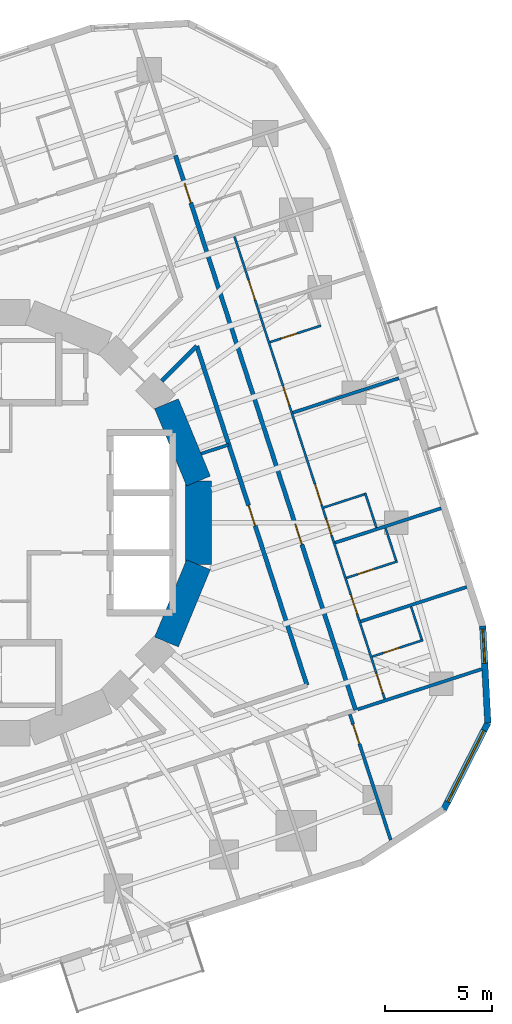
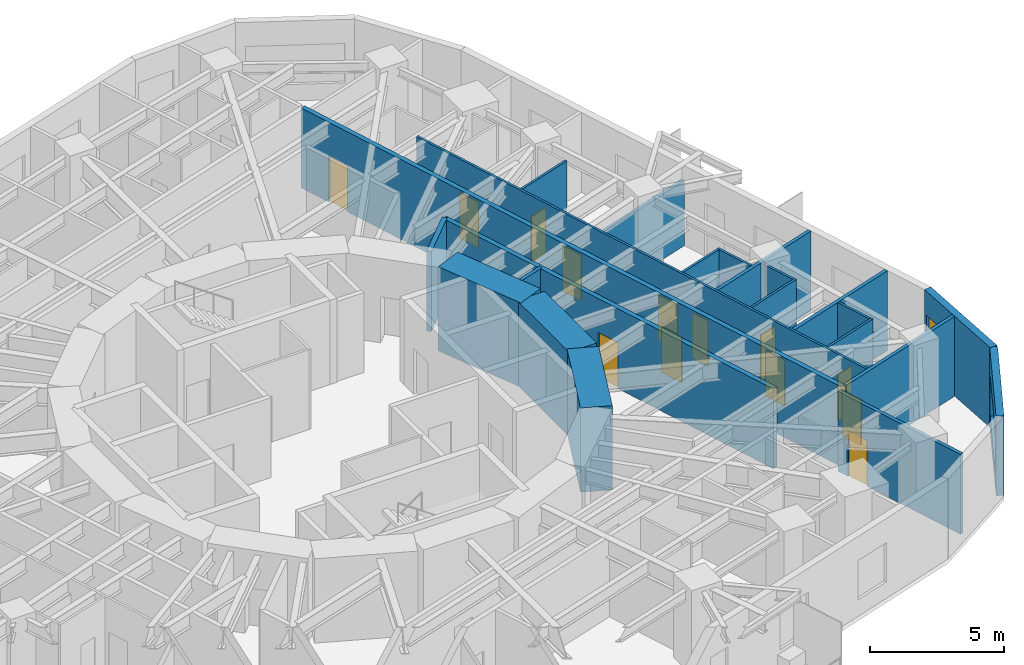
# One storey, part 8 of 12: 22 walls, 13 doors, 2 windows, 15 openings.
"""IFC4 building model written with IfcOpenShell, lengths in metres."""

from ifc_helpers import new_model, si_unit, direction, frame, frame_2d, origin, place, context, subcontext, project, spatial, rectangle, extrude, material, layer, layer_set, type_object, element, fill, save


model = new_model("IFC4")

# Units and contexts
model_context = context("Model", 3, precision=1e-05, world=origin(), true_north=direction((0.0, 1.0)))
body_context = subcontext(model_context, "Body", "Model", "MODEL_VIEW")
ifc_project = project(units=[si_unit("LENGTHUNIT", "METRE"), si_unit("AREAUNIT", "SQUARE_METRE"), si_unit("VOLUMEUNIT", "CUBIC_METRE"), si_unit("PLANEANGLEUNIT", "RADIAN"), si_unit("MASSUNIT", "GRAM", prefix="KILO")], contexts=[model_context])

# Site, building, storey
site_placement = place(None, origin())
site = spatial("IfcSite", under=ifc_project, at=site_placement, CompositionType="ELEMENT")
building_placement = place(site_placement, origin())
building = spatial("IfcBuilding", under=site, at=building_placement, Name="Nakasero Lantern House", CompositionType="ELEMENT")
storey_placement = place(building_placement, frame((0.0, 0.0, 168.75)))
storey = spatial("IfcBuildingStorey", under=building, at=storey_placement, Name="L41", CompositionType="ELEMENT", Elevation=168.75)

# Wall, openings, doors
ifc_material_1 = material(Name="Blockwork", Category="masonry")
ifc_layer_1 = layer(ifc_material_1, 0.10009765625)
ifc_layer_set_1 = layer_set([ifc_layer_1], Name="Cluster hall wall 100")
wall_type_1 = type_object("IfcWallType", Name="Cluster hall wall 100", PredefinedType="PARTITIONING", material=ifc_layer_set_1)
wall_1_placement = place(storey_placement, frame((18.492919921875, -8.21240234375, 0.0), z_axis=(0.0, 0.0, 1.0), x_axis=(-0.309014729931, 0.951057252055, 0.0)))
wall_1 = element("IfcWall", 1, at=wall_1_placement, inside=storey, type_object=wall_type_1, Name="Cluster hall wall L41 HW0-0", PredefinedType="PARTITIONING", context=body_context, shape_type="SweptSolid", body=[
    extrude(rectangle(XDim=22.67236328125, YDim=0.10009765625, at=frame_2d((11.336181640625, 0.0))), origin(), (0.0, 0.0, 1.0), 3.64990234375),
])
opening_1_placement = place(wall_1_placement, frame((9.532958984375, 0.0, 0.0)))
opening_1 = element("IfcOpeningElement", 2, at=opening_1_placement, cuts=wall_1, Name="Opening D03", PredefinedType="OPENING", context=body_context, shape_type="SweptSolid", body=[
    extrude(rectangle(XDim=1.0, YDim=2.10009765625, at=frame_2d((0.5, 1.050048828125))), frame((0.0, 0.070068359375, 0.0), z_axis=(0.0, -1.0, 0.0), x_axis=(1.0, 0.0, 0.0)), (0.0, 0.0, 1.0), 0.14013671875),
])
opening_2_placement = place(wall_1_placement, frame((8.01904296875, 0.0, 0.0)))
opening_2 = element("IfcOpeningElement", 3, at=opening_2_placement, cuts=wall_1, Name="Opening D02", PredefinedType="OPENING", context=body_context, shape_type="SweptSolid", body=[
    extrude(rectangle(XDim=0.800048828125, YDim=2.10009765625, at=frame_2d((0.39990234375, 1.050048828125))), frame((0.0, 0.070068359375, 0.0), z_axis=(0.0, -1.0, 0.0), x_axis=(1.0, 0.0, 0.0)), (0.0, 0.0, 1.0), 0.14013671875),
])
opening_3_placement = place(wall_1_placement, frame((0.300048828125, 0.0, 0.0)))
opening_3 = element("IfcOpeningElement", 4, at=opening_3_placement, cuts=wall_1, Name="Opening D01", PredefinedType="OPENING", context=body_context, shape_type="SweptSolid", body=[
    extrude(rectangle(XDim=0.949951171875, YDim=2.10009765625, at=frame_2d((0.47509765625, 1.050048828125))), frame((0.0, 0.070068359375, 0.0), z_axis=(0.0, -1.0, 0.0), x_axis=(1.0, 0.0, 0.0)), (0.0, 0.0, 1.0), 0.14013671875),
])
opening_4_placement = place(wall_1_placement, frame((4.159423828125, 0.0, 0.0)))
opening_4 = element("IfcOpeningElement", 5, at=opening_4_placement, cuts=wall_1, Name="Opening D01", PredefinedType="OPENING", context=body_context, shape_type="SweptSolid", body=[
    extrude(rectangle(XDim=0.949951171875, YDim=2.10009765625, at=frame_2d((0.47509765625, 1.050048828125))), frame((0.0, 0.070068359375, 0.0), z_axis=(0.0, -1.0, 0.0), x_axis=(1.0, 0.0, 0.0)), (0.0, 0.0, 1.0), 0.14013671875),
])
opening_5_placement = place(wall_1_placement, frame((14.39697265625, 0.0, 0.0)))
opening_5 = element("IfcOpeningElement", 6, at=opening_5_placement, cuts=wall_1, Name="Opening D01", PredefinedType="OPENING", context=body_context, shape_type="SweptSolid", body=[
    extrude(rectangle(XDim=0.949951171875, YDim=2.10009765625, at=frame_2d((0.47509765625, 1.050048828125))), frame((0.0, 0.070068359375, 0.0), z_axis=(0.0, -1.0, 0.0), x_axis=(1.0, 0.0, 0.0)), (0.0, 0.0, 1.0), 0.14013671875),
])
opening_6_placement = place(wall_1_placement, frame((19.578125, 0.0, 0.0)))
opening_6 = element("IfcOpeningElement", 7, at=opening_6_placement, cuts=wall_1, Name="Opening D01", PredefinedType="OPENING", context=body_context, shape_type="SweptSolid", body=[
    extrude(rectangle(XDim=0.949951171875, YDim=2.10009765625, at=frame_2d((0.47509765625, 1.050048828125))), frame((0.0, 0.070068359375, 0.0), z_axis=(0.0, -1.0, 0.0), x_axis=(1.0, 0.0, 0.0)), (0.0, 0.0, 1.0), 0.14013671875),
])
ifc_material_2 = material(Name="Timber C24", Category="wood")
door_type_1 = type_object("IfcDoorType", Name="Bedroom door FD30S 950", OperationType="SINGLE_SWING_LEFT", PredefinedType="DOOR", material=ifc_material_2)
door_1_placement = place(opening_3_placement, origin())
door_1 = element("IfcDoor", 8, at=door_1_placement, inside=storey, type_object=door_type_1, Name="Door L41 D0-00", OperationType="SINGLE_SWING_LEFT", OverallHeight=2.10009765625, OverallWidth=0.949951171875, PredefinedType="DOOR", context=body_context, shape_type="SweptSolid", body=[
    extrude(rectangle(XDim=0.949951171875, YDim=2.10009765625, at=frame_2d((0.47509765625, 1.050048828125))), frame((0.0, 0.02490234375, 0.0), z_axis=(0.0, -1.0, 0.0), x_axis=(1.0, 0.0, 0.0)), (0.0, 0.0, 1.0), 0.050048828125),
])
fill(opening_3, door_1)
door_2_placement = place(opening_4_placement, origin())
door_2 = element("IfcDoor", 9, at=door_2_placement, inside=storey, type_object=door_type_1, Name="Door L41 D0-01", OperationType="SINGLE_SWING_LEFT", OverallHeight=2.10009765625, OverallWidth=0.949951171875, PredefinedType="DOOR", context=body_context, shape_type="SweptSolid", body=[
    extrude(rectangle(XDim=0.949951171875, YDim=2.10009765625, at=frame_2d((0.47509765625, 1.050048828125))), frame((0.0, 0.02490234375, 0.0), z_axis=(0.0, -1.0, 0.0), x_axis=(1.0, 0.0, 0.0)), (0.0, 0.0, 1.0), 0.050048828125),
])
fill(opening_4, door_2)
door_3_placement = place(opening_5_placement, origin())
door_3 = element("IfcDoor", 10, at=door_3_placement, inside=storey, type_object=door_type_1, Name="Door L41 D0-04", OperationType="SINGLE_SWING_RIGHT", OverallHeight=2.10009765625, OverallWidth=0.949951171875, PredefinedType="DOOR", context=body_context, shape_type="SweptSolid", body=[
    extrude(rectangle(XDim=0.949951171875, YDim=2.10009765625, at=frame_2d((0.47509765625, 1.050048828125))), frame((0.0, 0.02490234375, 0.0), z_axis=(0.0, -1.0, 0.0), x_axis=(1.0, 0.0, 0.0)), (0.0, 0.0, 1.0), 0.050048828125),
])
fill(opening_5, door_3)
door_4_placement = place(opening_6_placement, origin())
door_4 = element("IfcDoor", 11, at=door_4_placement, inside=storey, type_object=door_type_1, Name="Door L41 D0-05", OperationType="SINGLE_SWING_RIGHT", OverallHeight=2.10009765625, OverallWidth=0.949951171875, PredefinedType="DOOR", context=body_context, shape_type="SweptSolid", body=[
    extrude(rectangle(XDim=0.949951171875, YDim=2.10009765625, at=frame_2d((0.47509765625, 1.050048828125))), frame((0.0, 0.02490234375, 0.0), z_axis=(0.0, -1.0, 0.0), x_axis=(1.0, 0.0, 0.0)), (0.0, 0.0, 1.0), 0.050048828125),
])
fill(opening_6, door_4)
ifc_material_3 = material(Name="Timber C24", Category="wood")
door_type_2 = type_object("IfcDoorType", Name="En-suite door 800", OperationType="SINGLE_SWING_RIGHT", PredefinedType="DOOR", material=ifc_material_3)
door_5_placement = place(opening_2_placement, origin())
door_5 = element("IfcDoor", 12, at=door_5_placement, inside=storey, type_object=door_type_2, Name="Door L41 DSH0-0", OperationType="SINGLE_SWING_LEFT", OverallHeight=2.10009765625, OverallWidth=0.800048828125, PredefinedType="DOOR", context=body_context, shape_type="SweptSolid", body=[
    extrude(rectangle(XDim=0.800048828125, YDim=2.10009765625, at=frame_2d((0.39990234375, 1.050048828125))), frame((0.0, 0.02490234375, 0.0), z_axis=(0.0, -1.0, 0.0), x_axis=(1.0, 0.0, 0.0)), (0.0, 0.0, 1.0), 0.050048828125),
])
fill(opening_2, door_5)
ifc_material_4 = material(Name="Timber C24", Category="wood")
door_type_3 = type_object("IfcDoorType", Name="Lounge door FD30S 1000", OperationType="SINGLE_SWING_LEFT", PredefinedType="DOOR", material=ifc_material_4)
door_6_placement = place(opening_1_placement, origin())
door_6 = element("IfcDoor", 13, at=door_6_placement, inside=storey, type_object=door_type_3, Name="Door L41 DH0-0", OperationType="SINGLE_SWING_LEFT", OverallHeight=2.10009765625, OverallWidth=1.0, PredefinedType="DOOR", context=body_context, shape_type="SweptSolid", body=[
    extrude(rectangle(XDim=1.0, YDim=2.10009765625, at=frame_2d((0.5, 1.050048828125))), frame((0.0, 0.02490234375, 0.0), z_axis=(0.0, -1.0, 0.0), x_axis=(1.0, 0.0, 0.0)), (0.0, 0.0, 1.0), 0.050048828125),
])
fill(opening_1, door_6)

# Walls
ifc_material_5 = material(Name="Concrete C50/60", Category="concrete")
ifc_layer_2 = layer(ifc_material_5, 1.199951171875)
ifc_layer_set_2 = layer_set([ifc_layer_2], Name="Core wall 1200")
wall_type_2 = type_object("IfcWallType", Name="Core wall 1200", PredefinedType="SHEAR", material=ifc_layer_set_2)
for number, where, z_axis, x_axis, name in (
    (14, (9.807861328125, 1.950927734375, 0.0), (0.0, 0.0, 1.0), (-0.382690736062, 0.923876507187, 0.0), "Core wall L41 facet 1"),
    (15, (8.314697265625, -5.5556640625, 0.0), (0.0, 0.0, 1.0), (0.382690736062, 0.923876507187, 0.0), "Core wall L41 facet 15"),
    (16, (9.807861328125, -1.950927734375, 0.0), (0.0, 0.0, 1.0), (0.0, 1.0, 0.0), "Core wall L41 facet 16"),
):
    element("IfcWall", number, at=place(storey_placement, frame(where, z_axis=z_axis, x_axis=x_axis)), inside=storey, type_object=wall_type_2, Name=name, PredefinedType="SHEAR", context=body_context, shape_type="SweptSolid", body=[
        extrude(rectangle(XDim=3.90185546875, YDim=1.199951171875, at=frame_2d((1.950927734375, 0.0))), origin(), (0.0, 0.0, 1.0), 3.85009765625),
    ])

# Wall, openings, doors
ifc_material_6 = material(Name="Blockwork", Category="masonry")
ifc_layer_3 = layer(ifc_material_6, 0.199951171875)
ifc_layer_set_3 = layer_set([ifc_layer_3], Name="Corridor wall 200")
wall_type_3 = type_object("IfcWallType", Name="Corridor wall 200", PredefinedType="PARTITIONING", material=ifc_layer_set_3)
wall_2_placement = place(storey_placement, frame((17.136962890625, -8.731689453125, 0.0), z_axis=(0.0, 0.0, 1.0), x_axis=(-0.309018283835, 0.951056097323, 0.0)))
wall_2 = element("IfcWall", 17, at=wall_2_placement, inside=storey, type_object=wall_type_3, Name="Corridor wall L41 CW0", PredefinedType="PARTITIONING", context=body_context, shape_type="SweptSolid", body=[
    extrude(rectangle(XDim=27.199951171875, YDim=0.199951171875, at=frame_2d((13.60009765625, 0.0))), origin(), (0.0, 0.0, 1.0), 3.64990234375),
])
opening_7_placement = place(wall_2_placement, frame((8.118896484375, 0.0, 0.0)))
opening_7 = element("IfcOpeningElement", 18, at=opening_7_placement, cuts=wall_2, Name="Opening D14", PredefinedType="OPENING", context=body_context, shape_type="SweptSolid", body=[
    extrude(rectangle(XDim=1.0, YDim=2.10009765625, at=frame_2d((0.5, 1.050048828125))), frame((0.0, 0.119873046875, 0.0), z_axis=(0.0, -1.0, 0.0), x_axis=(1.0, 0.0, 0.0)), (0.0, 0.0, 1.0), 0.239990234375),
])
opening_8_placement = place(wall_2_placement, frame((24.872314453125, 0.0, 0.0)))
opening_8 = element("IfcOpeningElement", 19, at=opening_8_placement, cuts=wall_2, Name="Opening D01", PredefinedType="OPENING", context=body_context, shape_type="SweptSolid", body=[
    extrude(rectangle(XDim=0.949951171875, YDim=2.10009765625, at=frame_2d((0.47509765625, 1.050048828125))), frame((0.0, 0.119873046875, 0.0), z_axis=(0.0, -1.0, 0.0), x_axis=(1.0, 0.0, 0.0)), (0.0, 0.0, 1.0), 0.239990234375),
])
door_7_placement = place(opening_8_placement, origin())
door_7 = element("IfcDoor", 20, at=door_7_placement, inside=storey, type_object=door_type_1, Name="Door L41 D0-06", OperationType="SINGLE_SWING_RIGHT", OverallHeight=2.10009765625, OverallWidth=0.949951171875, PredefinedType="DOOR", context=body_context, shape_type="SweptSolid", body=[
    extrude(rectangle(XDim=0.949951171875, YDim=2.10009765625, at=frame_2d((0.47509765625, 1.050048828125))), frame((0.0, 0.02490234375, 0.0), z_axis=(0.0, -1.0, 0.0), x_axis=(1.0, 0.0, 0.0)), (0.0, 0.0, 1.0), 0.050048828125),
])
fill(opening_8, door_7)
ifc_material_7 = material(Name="Timber C24", Category="wood")
door_type_4 = type_object("IfcDoorType", Name="Cluster entrance door FD30S 1000", OperationType="SINGLE_SWING_LEFT", PredefinedType="DOOR", material=ifc_material_7)
door_8_placement = place(opening_7_placement, origin())
door_8 = element("IfcDoor", 21, at=door_8_placement, inside=storey, type_object=door_type_4, Name="Door L41 DF0-0", OperationType="SINGLE_SWING_LEFT", OverallHeight=2.10009765625, OverallWidth=1.0, PredefinedType="DOOR", context=body_context, shape_type="SweptSolid", body=[
    extrude(rectangle(XDim=1.0, YDim=2.10009765625, at=frame_2d((0.5, 1.050048828125))), frame((0.0, 0.02490234375, 0.0), z_axis=(0.0, -1.0, 0.0), x_axis=(1.0, 0.0, 0.0)), (0.0, 0.0, 1.0), 0.050048828125),
])
fill(opening_7, door_8)

# Wall, opening, door
wall_3_placement = place(storey_placement, frame((14.868896484375, -7.576171875, 0.0), z_axis=(0.0, 0.0, 1.0), x_axis=(-0.309015049795, 0.951057148125, 0.0)))
wall_3 = element("IfcWall", 22, at=wall_3_placement, inside=storey, type_object=wall_type_3, Name="Corridor wall L41 IW0-0", PredefinedType="PARTITIONING", context=body_context, shape_type="SweptSolid", body=[
    extrude(rectangle(XDim=16.634033203125, YDim=0.199951171875, at=frame_2d((8.31689453125, 0.0))), origin(), (0.0, 0.0, 1.0), 3.64990234375),
])
opening_9_placement = place(wall_3_placement, frame((7.81689453125, 0.0, 0.0)))
opening_9 = element("IfcOpeningElement", 23, at=opening_9_placement, cuts=wall_3, Name="Opening D07", PredefinedType="OPENING", context=body_context, shape_type="SweptSolid", body=[
    extrude(rectangle(XDim=1.0, YDim=2.10009765625, at=frame_2d((0.5, 1.050048828125))), frame((0.0, 0.119873046875, 0.0), z_axis=(0.0, -1.0, 0.0), x_axis=(1.0, 0.0, 0.0)), (0.0, 0.0, 1.0), 0.239990234375),
])
ifc_material_8 = material(Name="Timber C24", Category="wood")
door_type_5 = type_object("IfcDoorType", Name="Room door FD30S 1000", OperationType="SINGLE_SWING_LEFT", PredefinedType="DOOR", material=ifc_material_8)
door_9_placement = place(opening_9_placement, origin())
door_9 = element("IfcDoor", 24, at=door_9_placement, inside=storey, type_object=door_type_5, Name="Door L41 DI4", OperationType="SINGLE_SWING_RIGHT", OverallHeight=2.10009765625, OverallWidth=1.0, PredefinedType="DOOR", context=body_context, shape_type="SweptSolid", body=[
    extrude(rectangle(XDim=1.0, YDim=2.10009765625, at=frame_2d((0.5, 1.050048828125))), frame((0.0, 0.02490234375, 0.0), z_axis=(0.0, -1.0, 0.0), x_axis=(1.0, 0.0, 0.0)), (0.0, 0.0, 1.0), 0.050048828125),
])
fill(opening_9, door_9)

# Walls
wall_4_placement = place(storey_placement, frame((8.101806640625, 6.616943359375, 0.0), z_axis=(0.0, 0.0, 1.0), x_axis=(0.707159837407, 0.707053720985, 0.0)))
element("IfcWall", 25, at=wall_4_placement, inside=storey, type_object=wall_type_3, Name="Corridor wall L41 PS02b", PredefinedType="PARTITIONING", context=body_context, shape_type="SweptSolid", body=[
    extrude(rectangle(XDim=2.30078125, YDim=0.199951171875, at=frame_2d((1.150390625, 0.0))), origin(), (0.0, 0.0, 1.0), 3.64990234375),
])
ifc_material_9 = material(Name="Blockwork", Category="masonry")
ifc_layer_4 = layer(ifc_material_9, 0.10009765625)
ifc_layer_set_4 = layer_set([ifc_layer_4], Name="En-suite wall 100")
wall_type_4 = type_object("IfcWallType", Name="En-suite wall 100", PredefinedType="PARTITIONING", material=ifc_layer_set_4)
wall_5_placement = place(storey_placement, frame((15.645263671875, 0.713623046875, 0.0), z_axis=(0.0, 0.0, 1.0), x_axis=(0.951062257173, 0.308999325213, 0.0)))
element("IfcWall", 26, at=wall_5_placement, inside=storey, type_object=wall_type_4, Name="En-suite wall L41 SS0-0", PredefinedType="PARTITIONING", context=body_context, shape_type="SweptSolid", body=[
    extrude(rectangle(XDim=2.10009765625, YDim=0.10009765625, at=frame_2d((1.050048828125, 0.0))), origin(), (0.0, 0.0, 1.0), 3.64990234375),
])
wall_6_placement = place(storey_placement, frame((18.104736328125, -0.22216796875, 0.0), z_axis=(0.0, 0.0, 1.0), x_axis=(-0.309066587596, 0.951040401051, 0.0)))
element("IfcWall", 27, at=wall_6_placement, inside=storey, type_object=wall_type_4, Name="En-suite wall L41 SE0-0", PredefinedType="PARTITIONING", context=body_context, shape_type="SweptSolid", body=[
    extrude(rectangle(XDim=1.699951171875, YDim=0.10009765625, at=frame_2d((0.85009765625, 0.0))), origin(), (0.0, 0.0, 1.0), 3.64990234375),
])

# Wall, opening, door
wall_7_placement = place(storey_placement, frame((17.904052734375, -6.23828125, 0.0), z_axis=(0.0, 0.0, 1.0), x_axis=(0.951039092003, 0.309070615688, 0.0)))
wall_7 = element("IfcWall", 28, at=wall_7_placement, inside=storey, type_object=wall_type_4, Name="En-suite wall L41 ES0-00", PredefinedType="PARTITIONING", context=body_context, shape_type="SweptSolid", body=[
    extrude(rectangle(XDim=2.5, YDim=0.10009765625, at=frame_2d((1.25, 0.0))), origin(), (0.0, 0.0, 1.0), 3.64990234375),
])
opening_10_placement = place(wall_7_placement, frame((0.550048828125, 0.0, 0.0)))
opening_10 = element("IfcOpeningElement", 29, at=opening_10_placement, cuts=wall_7, Name="Opening D02", PredefinedType="OPENING", context=body_context, shape_type="SweptSolid", body=[
    extrude(rectangle(XDim=0.800048828125, YDim=2.10009765625, at=frame_2d((0.39990234375, 1.050048828125))), frame((0.0, 0.070068359375, 0.0), z_axis=(0.0, -1.0, 0.0), x_axis=(1.0, 0.0, 0.0)), (0.0, 0.0, 1.0), 0.14013671875),
])
door_10_placement = place(opening_10_placement, origin())
door_10 = element("IfcDoor", 30, at=door_10_placement, inside=storey, type_object=door_type_2, Name="Door L41 DE0-00", OperationType="SINGLE_SWING_LEFT", OverallHeight=2.10009765625, OverallWidth=0.800048828125, PredefinedType="DOOR", context=body_context, shape_type="SweptSolid", body=[
    extrude(rectangle(XDim=0.800048828125, YDim=2.10009765625, at=frame_2d((0.39990234375, 1.050048828125))), frame((0.0, 0.02490234375, 0.0), z_axis=(0.0, -1.0, 0.0), x_axis=(1.0, 0.0, 0.0)), (0.0, 0.0, 1.0), 0.050048828125),
])
fill(opening_10, door_10)

# Wall
wall_8_placement = place(storey_placement, frame((20.21875, -5.43359375, 0.0), z_axis=(0.0, 0.0, 1.0), x_axis=(-0.309124022649, 0.951021734043, 0.0)))
element("IfcWall", 31, at=wall_8_placement, inside=storey, type_object=wall_type_4, Name="En-suite wall L41 EE0-00", PredefinedType="PARTITIONING", context=body_context, shape_type="SweptSolid", body=[
    extrude(rectangle(XDim=1.60009765625, YDim=0.10009765625, at=frame_2d((0.800048828125, 0.0))), origin(), (0.0, 0.0, 1.0), 3.64990234375),
])

# Wall, opening, door
wall_9_placement = place(storey_placement, frame((16.71142578125, -2.567626953125, 0.0), z_axis=(0.0, 0.0, 1.0), x_axis=(0.951067792613, 0.308982287281, 0.0)))
wall_9 = element("IfcWall", 32, at=wall_9_placement, inside=storey, type_object=wall_type_4, Name="En-suite wall L41 ES0-01", PredefinedType="PARTITIONING", context=body_context, shape_type="SweptSolid", body=[
    extrude(rectangle(XDim=2.5, YDim=0.10009765625, at=frame_2d((1.25, 0.0))), origin(), (0.0, 0.0, 1.0), 3.64990234375),
])
opening_11_placement = place(wall_9_placement, frame((0.550048828125, 0.0, 0.0)))
opening_11 = element("IfcOpeningElement", 33, at=opening_11_placement, cuts=wall_9, Name="Opening D02", PredefinedType="OPENING", context=body_context, shape_type="SweptSolid", body=[
    extrude(rectangle(XDim=0.800048828125, YDim=2.10009765625, at=frame_2d((0.39990234375, 1.050048828125))), frame((0.0, 0.070068359375, 0.0), z_axis=(0.0, -1.0, 0.0), x_axis=(1.0, 0.0, 0.0)), (0.0, 0.0, 1.0), 0.14013671875),
])
door_11_placement = place(opening_11_placement, origin())
door_11 = element("IfcDoor", 34, at=door_11_placement, inside=storey, type_object=door_type_2, Name="Door L41 DE0-01", OperationType="SINGLE_SWING_LEFT", OverallHeight=2.10009765625, OverallWidth=0.800048828125, PredefinedType="DOOR", context=body_context, shape_type="SweptSolid", body=[
    extrude(rectangle(XDim=0.800048828125, YDim=2.10009765625, at=frame_2d((0.39990234375, 1.050048828125))), frame((0.0, 0.02490234375, 0.0), z_axis=(0.0, -1.0, 0.0), x_axis=(1.0, 0.0, 0.0)), (0.0, 0.0, 1.0), 0.050048828125),
])
fill(opening_11, door_11)

# Wall
wall_10_placement = place(storey_placement, frame((19.02587890625, -1.762939453125, 0.0), z_axis=(0.0, 0.0, 1.0), x_axis=(-0.308986014439, 0.951066581729, 0.0)))
element("IfcWall", 35, at=wall_10_placement, inside=storey, type_object=wall_type_4, Name="En-suite wall L41 EE0-01", PredefinedType="PARTITIONING", context=body_context, shape_type="SweptSolid", body=[
    extrude(rectangle(XDim=1.60009765625, YDim=0.10009765625, at=frame_2d((0.800048828125, 0.0))), origin(), (0.0, 0.0, 1.0), 3.64990234375),
])

# Wall, opening, door
wall_11_placement = place(storey_placement, frame((13.139404296875, 8.42578125, 0.0), z_axis=(0.0, 0.0, 1.0), x_axis=(0.951067792613, 0.308982287281, 0.0)))
wall_11 = element("IfcWall", 36, at=wall_11_placement, inside=storey, type_object=wall_type_4, Name="En-suite wall L41 ES0-04", PredefinedType="PARTITIONING", context=body_context, shape_type="SweptSolid", body=[
    extrude(rectangle(XDim=2.5, YDim=0.10009765625, at=frame_2d((1.25, 0.0))), origin(), (0.0, 0.0, 1.0), 3.64990234375),
])
opening_12_placement = place(wall_11_placement, frame((0.550048828125, 0.0, 0.0)))
opening_12 = element("IfcOpeningElement", 37, at=opening_12_placement, cuts=wall_11, Name="Opening D02", PredefinedType="OPENING", context=body_context, shape_type="SweptSolid", body=[
    extrude(rectangle(XDim=0.800048828125, YDim=2.10009765625, at=frame_2d((0.39990234375, 1.050048828125))), frame((0.0, 0.070068359375, 0.0), z_axis=(0.0, -1.0, 0.0), x_axis=(1.0, 0.0, 0.0)), (0.0, 0.0, 1.0), 0.14013671875),
])
door_12_placement = place(opening_12_placement, origin())
door_12 = element("IfcDoor", 38, at=door_12_placement, inside=storey, type_object=door_type_2, Name="Door L41 DE0-04", OperationType="SINGLE_SWING_LEFT", OverallHeight=2.10009765625, OverallWidth=0.800048828125, PredefinedType="DOOR", context=body_context, shape_type="SweptSolid", body=[
    extrude(rectangle(XDim=0.800048828125, YDim=2.10009765625, at=frame_2d((0.39990234375, 1.050048828125))), frame((0.0, 0.02490234375, 0.0), z_axis=(0.0, -1.0, 0.0), x_axis=(1.0, 0.0, 0.0)), (0.0, 0.0, 1.0), 0.050048828125),
])
fill(opening_12, door_12)

# Wall, opening, window
ifc_material_10 = material(Name="Aluminium rainscreen on blockwork", Category="masonry")
ifc_layer_5 = layer(ifc_material_10, 0.300048828125)
ifc_layer_set_5 = layer_set([ifc_layer_5], Name="Facade wall 300")
wall_type_5 = type_object("IfcWallType", Name="Facade wall 300", PredefinedType="SOLIDWALL", material=ifc_layer_set_5)
wall_12_placement = place(storey_placement, frame((21.245361328125, -13.36669921875, 0.0), z_axis=(0.0, 0.0, 1.0), x_axis=(0.454013792196, 0.890994655705, 0.0)))
wall_12 = element("IfcWall", 39, at=wall_12_placement, inside=storey, type_object=wall_type_5, Name="Facade wall L41 FW3C2", PredefinedType="SOLIDWALL", context=body_context, shape_type="SweptSolid", body=[
    extrude(rectangle(XDim=4.529296875, YDim=0.300048828125, at=frame_2d((2.2646484375, 0.0))), origin(), (0.0, 0.0, 1.0), 3.64990234375),
])
opening_13_placement = place(wall_12_placement, frame((0.39990234375, 0.0, 0.75)))
opening_13 = element("IfcOpeningElement", 40, at=opening_13_placement, cuts=wall_12, Name="Opening W237A", PredefinedType="OPENING", context=body_context, shape_type="SweptSolid", body=[
    extrude(rectangle(XDim=3.72900390625, YDim=1.800048828125, at=frame_2d((1.864501953125, 0.89990234375))), frame((0.0, 0.169921875, 0.0), z_axis=(0.0, -1.0, 0.0), x_axis=(1.0, 0.0, 0.0)), (0.0, 0.0, 1.0), 0.340087890625),
])
ifc_material_11 = material(Name="Aluminium 6063-T6 and glass", Category="aluminium")
window_type_1 = type_object("IfcWindowType", Name="Corner window 3729x1800", PartitioningType="SINGLE_PANEL", PredefinedType="WINDOW", material=ifc_material_11)
window_1_placement = place(opening_13_placement, origin())
window_1 = element("IfcWindow", 41, at=window_1_placement, inside=storey, type_object=window_type_1, Name="Window L41 WC3", OverallHeight=1.800048828125, OverallWidth=3.72900390625, PartitioningType="SINGLE_PANEL", PredefinedType="WINDOW", context=body_context, shape_type="SweptSolid", body=[
    extrude(rectangle(XDim=3.72900390625, YDim=1.800048828125, at=frame_2d((1.864501953125, 0.89990234375))), frame((0.0, 0.030029296875, 0.0), z_axis=(0.0, -1.0, 0.0), x_axis=(1.0, 0.0, 0.0)), (0.0, 0.0, 1.0), 0.06005859375),
])
fill(opening_13, window_1)

wall_13_placement = place(storey_placement, frame((23.3017578125, -9.3310546875, 0.0), z_axis=(0.0, 0.0, 1.0), x_axis=(-0.052338164079, 0.998629419044, 0.0)))
wall_13 = element("IfcWall", 42, at=wall_13_placement, inside=storey, type_object=wall_type_5, Name="Facade wall L41 FW3C3", PredefinedType="SOLIDWALL", context=body_context, shape_type="SweptSolid", body=[
    extrude(rectangle(XDim=4.529296875, YDim=0.300048828125, at=frame_2d((2.2646484375, 0.0))), origin(), (0.0, 0.0, 1.0), 3.64990234375),
])
opening_14_placement = place(wall_13_placement, frame((2.784912109375, 0.0, 0.75)))
opening_14 = element("IfcOpeningElement", 43, at=opening_14_placement, cuts=wall_13, Name="Opening W01", PredefinedType="OPENING", context=body_context, shape_type="SweptSolid", body=[
    extrude(rectangle(XDim=1.60009765625, YDim=1.800048828125, at=frame_2d((0.800048828125, 0.89990234375))), frame((0.0, 0.169921875, 0.0), z_axis=(0.0, -1.0, 0.0), x_axis=(1.0, 0.0, 0.0)), (0.0, 0.0, 1.0), 0.340087890625),
])
ifc_material_12 = material(Name="Aluminium 6063-T6 and glass", Category="aluminium")
window_type_2 = type_object("IfcWindowType", Name="Bedroom window 1600x1800", PartitioningType="SINGLE_PANEL", PredefinedType="WINDOW", material=ifc_material_12)
window_2_placement = place(opening_14_placement, origin())
window_2 = element("IfcWindow", 44, at=window_2_placement, inside=storey, type_object=window_type_2, Name="Window L41 WN0-00", OverallHeight=1.800048828125, OverallWidth=1.60009765625, PartitioningType="SINGLE_PANEL", PredefinedType="WINDOW", context=body_context, shape_type="SweptSolid", body=[
    extrude(rectangle(XDim=1.60009765625, YDim=1.800048828125, at=frame_2d((0.800048828125, 0.89990234375))), frame((0.0, 0.030029296875, 0.0), z_axis=(0.0, -1.0, 0.0), x_axis=(1.0, 0.0, 0.0)), (0.0, 0.0, 1.0), 0.06005859375),
])
fill(opening_14, window_2)

# Walls
ifc_material_13 = material(Name="Blockwork", Category="masonry")
ifc_layer_6 = layer(ifc_material_13, 0.14990234375)
ifc_layer_set_6 = layer_set([ifc_layer_6], Name="Party wall 150")
wall_type_6 = type_object("IfcWallType", Name="Party wall 150", PredefinedType="PARTITIONING", material=ifc_layer_set_6)
wall_14_placement = place(storey_placement, frame((17.232177734375, -8.700927734375, 0.0), z_axis=(0.0, 0.0, 1.0), x_axis=(0.951057081836, 0.309015253813, 0.0)))
element("IfcWall", 45, at=wall_14_placement, inside=storey, type_object=wall_type_6, Name="Party wall L41 PW0-00", PredefinedType="PARTITIONING", context=body_context, shape_type="SweptSolid", body=[
    extrude(rectangle(XDim=6.080322265625, YDim=0.14990234375, at=frame_2d((3.0400390625, 0.0))), origin(), (0.0, 0.0, 1.0), 3.64990234375),
])
for number, where, z_axis, x_axis, name in (
    (46, (17.370849609375, -4.59765625, 0.0), (0.0, 0.0, 1.0), (0.951055112834, 0.309021313752, 0.0), "Party wall L41 PW0-01"),
    (47, (16.17822265625, -0.927001953125, 0.0), (0.0, 0.0, 1.0), (0.951055112834, 0.309021313752, 0.0), "Party wall L41 PW0-02"),
):
    element("IfcWall", number, at=place(storey_placement, frame(where, z_axis=z_axis, x_axis=x_axis)), inside=storey, type_object=wall_type_6, Name=name, PredefinedType="PARTITIONING", context=body_context, shape_type="SweptSolid", body=[
        extrude(rectangle(XDim=5.2001953125, YDim=0.14990234375, at=frame_2d((2.60009765625, 0.0))), origin(), (0.0, 0.0, 1.0), 3.64990234375),
    ])
wall_15_placement = place(storey_placement, frame((14.207275390625, 5.138916015625, 0.0), z_axis=(0.0, 0.0, 1.0), x_axis=(0.951055112834, 0.309021313752, 0.0)))
element("IfcWall", 48, at=wall_15_placement, inside=storey, type_object=wall_type_6, Name="Party wall L41 PW0-04", PredefinedType="PARTITIONING", context=body_context, shape_type="SweptSolid", body=[
    extrude(rectangle(XDim=5.2001953125, YDim=0.14990234375, at=frame_2d((2.60009765625, 0.0))), origin(), (0.0, 0.0, 1.0), 2.966552734375),
])

# Wall, opening, door
wall_16_placement = place(storey_placement, frame((16.8662109375, -8.9248046875, 0.0), z_axis=(0.0, 0.0, 1.0), x_axis=(0.309031452366, -0.951051818488, 0.0)))
wall_16 = element("IfcWall", 49, at=wall_16_placement, inside=storey, type_object=wall_type_6, Name="Party wall L41 PC3", PredefinedType="PARTITIONING", context=body_context, shape_type="SweptSolid", body=[
    extrude(rectangle(XDim=6.165283203125, YDim=0.14990234375, at=frame_2d((3.08251953125, 0.0))), origin(), (0.0, 0.0, 1.0), 3.64990234375),
])
opening_15_placement = place(wall_16_placement, frame((0.5, 0.0, 0.0)))
opening_15 = element("IfcOpeningElement", 50, at=opening_15_placement, cuts=wall_16, Name="Opening D01", PredefinedType="OPENING", context=body_context, shape_type="SweptSolid", body=[
    extrude(rectangle(XDim=0.949951171875, YDim=2.10009765625, at=frame_2d((0.47509765625, 1.050048828125))), frame((0.0, 0.094970703125, 0.0), z_axis=(0.0, -1.0, 0.0), x_axis=(1.0, 0.0, 0.0)), (0.0, 0.0, 1.0), 0.18994140625),
])
door_13_placement = place(opening_15_placement, origin())
door_13 = element("IfcDoor", 51, at=door_13_placement, inside=storey, type_object=door_type_1, Name="Door L41 DC3", OperationType="SINGLE_SWING_LEFT", OverallHeight=2.10009765625, OverallWidth=0.949951171875, PredefinedType="DOOR", context=body_context, shape_type="SweptSolid", body=[
    extrude(rectangle(XDim=0.949951171875, YDim=2.10009765625, at=frame_2d((0.47509765625, 1.050048828125))), frame((0.0, 0.02490234375, 0.0), z_axis=(0.0, -1.0, 0.0), x_axis=(1.0, 0.0, 0.0)), (0.0, 0.0, 1.0), 0.050048828125),
])
fill(opening_15, door_13)

# Wall
wall_17_placement = place(storey_placement, frame((11.222412109375, 3.646484375, 0.0), z_axis=(0.0, 0.0, 1.0), x_axis=(-0.951026153486, -0.309110425878, 0.0)))
element("IfcWall", 52, at=wall_17_placement, inside=storey, type_object=wall_type_6, Name="Party wall L41 IM0", PredefinedType="PARTITIONING", context=body_context, shape_type="SweptSolid", body=[
    extrude(rectangle(XDim=1.360107421875, YDim=0.14990234375, at=frame_2d((0.68017578125, 0.0))), origin(), (0.0, 0.0, 1.0), 3.64990234375),
])

save(model, "model.ifc")
